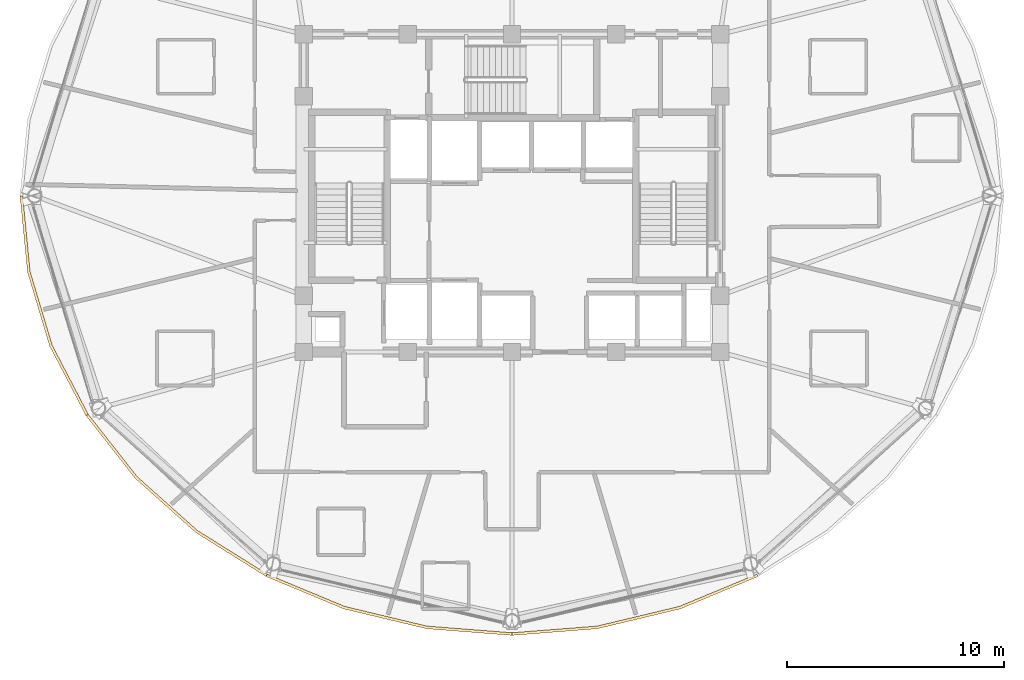
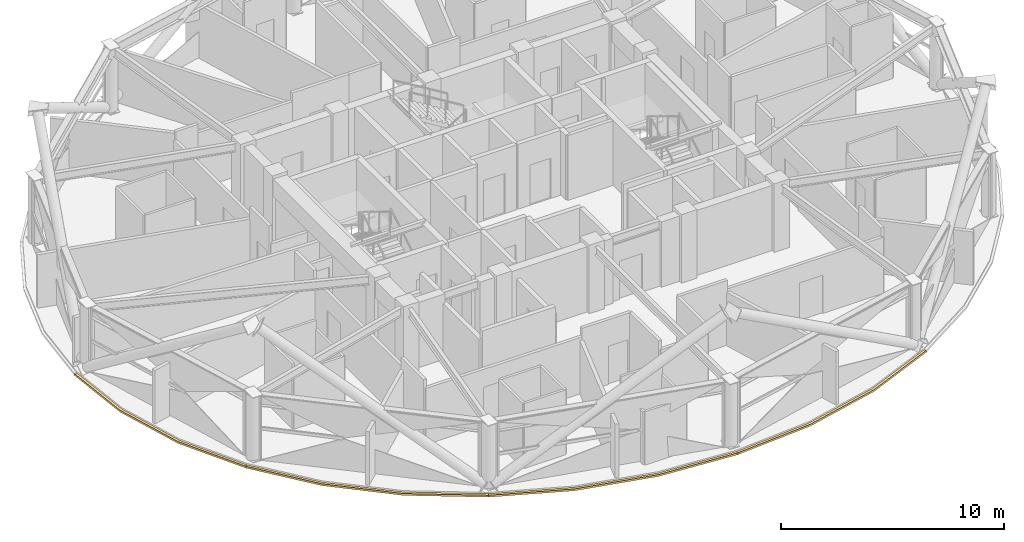
# One storey, part 26 of 29: 4 coverings.
"""IFC4 building model written with IfcOpenShell, lengths in metres."""

from ifc_helpers import new_model, si_unit, direction, frame, origin, place, context, subcontext, project, spatial, polyline, outline, extrude, material, layer, layer_set, type_object, element, save


model = new_model("IFC4")

# Units and contexts
model_context = context("Model", 3, precision=1e-05, world=origin(), true_north=direction((0.0, 1.0)))
body_context = subcontext(model_context, "Body", "Model", "MODEL_VIEW")
ifc_project = project(units=[si_unit("LENGTHUNIT", "METRE"), si_unit("AREAUNIT", "SQUARE_METRE"), si_unit("VOLUMEUNIT", "CUBIC_METRE"), si_unit("PLANEANGLEUNIT", "RADIAN"), si_unit("MASSUNIT", "GRAM", prefix="KILO")], contexts=[model_context])

# Site, building, storey
site_placement = place(None, origin())
site = spatial("IfcSite", under=ifc_project, at=site_placement, CompositionType="ELEMENT")
building_placement = place(site_placement, origin())
building = spatial("IfcBuilding", under=site, at=building_placement, Name="Vantalir Tower", CompositionType="ELEMENT")
storey_placement = place(building_placement, frame((0.0, 0.0, 227.39990234375)))
storey = spatial("IfcBuildingStorey", under=building, at=storey_placement, Name="L57", CompositionType="ELEMENT", Elevation=227.39990234375)

# Coverings
ifc_material = material(Name="Anodised champagne aluminium sill fascia", Category="aluminium")
ifc_layer = layer(ifc_material, 0.125)
ifc_layer_set = layer_set([ifc_layer], Name="Anodised champagne aluminium sill fascia")
covering_type = type_object("IfcCoveringType", Name="COV-SLAB-FASCIA-125", PredefinedType="CLADDING", material=ifc_layer_set)
covering_1_placement = place(storey_placement, frame((0.0, 0.0, -0.179931640625)))
element("IfcCovering", 1, at=covering_1_placement, inside=storey, type_object=covering_type, Name="L57 Perimeter Slab-Edge Sill Fascia 07", PredefinedType="CLADDING", context=body_context, shape_type="SweptSolid", body=[
    extrude(outline(polyline([(8.81201171875, 25.0), (9.156982421875, 21.47998046875), (10.179931640625, 18.06689453125), (11.85205078125, 14.864013671875), (11.9599609375, 14.927001953125), (10.298095703125, 18.110107421875), (9.280029296875, 21.501953125), (8.93701171875, 25.0), (8.81201171875, 25.0)])), origin(), (0.0, 0.0, 1.0), 0.10498046875),
])
covering_2_placement = place(storey_placement, frame((0.0, 0.0, -0.179931640625)))
element("IfcCovering", 2, at=covering_2_placement, inside=storey, type_object=covering_type, Name="L57 Perimeter Slab-Edge Sill Fascia 08", PredefinedType="CLADDING", context=body_context, shape_type="SweptSolid", body=[
    extrude(outline(polyline([(11.85205078125, 14.864013671875), (14.1201171875, 11.969970703125), (16.916015625, 9.471923828125), (20.156005859375, 7.445068359375), (20.218017578125, 7.552978515625), (16.9970703125, 9.56689453125), (14.216064453125, 12.050048828125), (11.9599609375, 14.927001953125), (11.85205078125, 14.864013671875)])), origin(), (0.0, 0.0, 1.0), 0.10498046875),
])
covering_3_placement = place(storey_placement, frame((0.0, 0.0, -0.179931640625)))
element("IfcCovering", 3, at=covering_3_placement, inside=storey, type_object=covering_type, Name="L57 Perimeter Slab-Edge Sill Fascia 09", PredefinedType="CLADDING", context=body_context, shape_type="SweptSolid", body=[
    extrude(outline(polyline([(20.156005859375, 7.445068359375), (23.739990234375, 5.950927734375), (27.56005859375, 5.037109375), (31.5, 4.72900390625), (31.5, 4.85400390625), (27.58203125, 5.159912109375), (23.782958984375, 6.069091796875), (20.218017578125, 7.552978515625), (20.156005859375, 7.445068359375)])), origin(), (0.0, 0.0, 1.0), 0.10498046875),
])
covering_4_placement = place(storey_placement, frame((0.0, 0.0, -0.179931640625)))
element("IfcCovering", 4, at=covering_4_placement, inside=storey, type_object=covering_type, Name="L57 Perimeter Slab-Edge Sill Fascia 10", PredefinedType="CLADDING", context=body_context, shape_type="SweptSolid", body=[
    extrude(outline(polyline([(31.5, 4.72900390625), (35.43994140625, 5.037109375), (39.260009765625, 5.950927734375), (42.843994140625, 7.445068359375), (42.781982421875, 7.552978515625), (39.217041015625, 6.069091796875), (35.41796875, 5.159912109375), (31.5, 4.85400390625), (31.5, 4.72900390625)])), origin(), (0.0, 0.0, 1.0), 0.10498046875),
])

save(model, "model.ifc")
